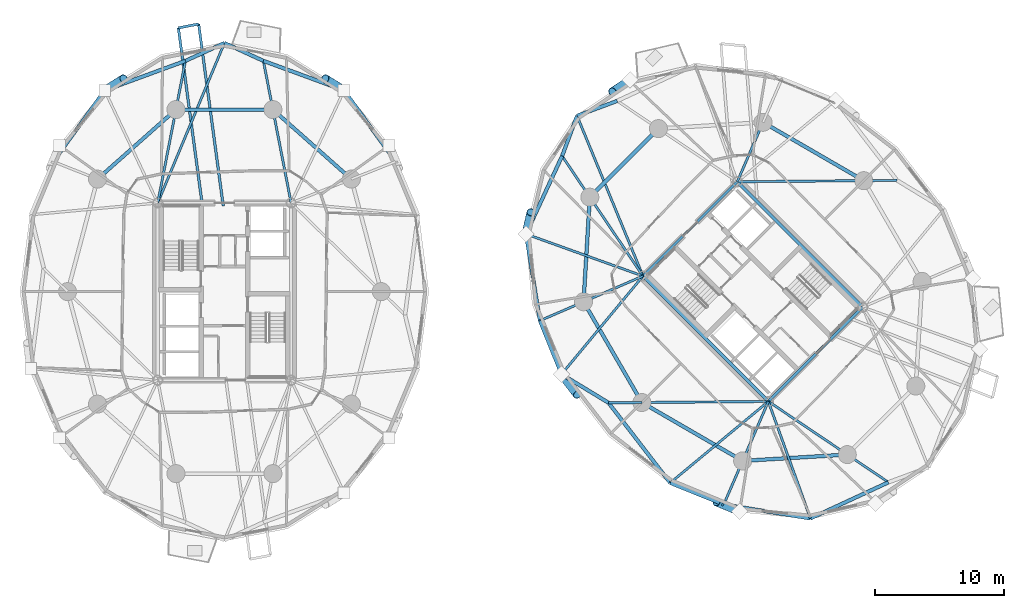
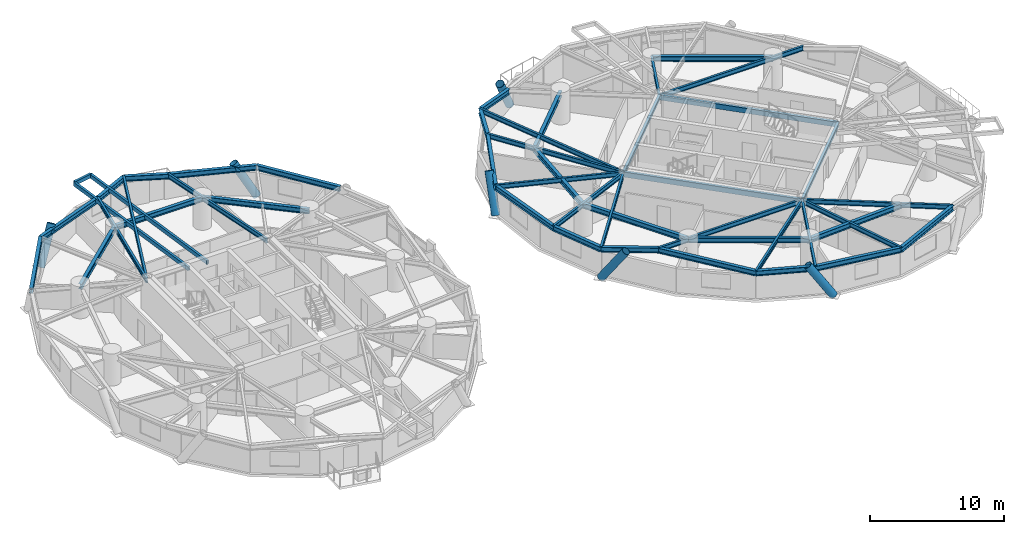
# One storey, part 5 of 19: 48 beams, 6 members.
"""IFC4 building model written with IfcOpenShell, lengths in metres."""

import ifcopenshell
import ifcopenshell.guid

model = None  # the IFC model being written
_history = None  # IfcOwnerHistory: only IFC2X3 demands one
_inside = {}  # id of a spatial element -> (the spatial element, [elements in it])
_under = {}  # id of a project, library or spatial element -> (it, [spatial elements below it])
_declared = {}  # id of a project -> (the project, [libraries it declares])
_typed = {}  # id of a type object -> (the type object, [elements of that type])
_made_of = {}  # id of a material, layer set ... -> (it, [elements and type objects made of it])


def new_model(schema):
    """Start an empty IFC model of exactly this schema.

    Asked for "IFC4X3", IfcOpenShell would pick the latest addendum, in which some entities
    have other attributes; the version numbers below select the first issue.
    IFC2X3 requires an IfcOwnerHistory on every rooted entity: one is made here for all.
    """
    global model, _history
    if schema == "IFC4X3":
        model = ifcopenshell.file(schema_version=(4, 3, 0, 0))
    else:
        model = ifcopenshell.file(schema=schema)
    _inside.clear()
    _under.clear()
    _declared.clear()
    _typed.clear()
    _made_of.clear()
    _history = None
    if model.schema == "IFC2X3":
        org = make("IfcOrganization", Name="unknown")
        user = make(
            "IfcPersonAndOrganization",
            ThePerson=make("IfcPerson", FamilyName="unknown"),
            TheOrganization=org,
        )
        app = make(
            "IfcApplication",
            ApplicationDeveloper=org,
            Version="unknown",
            ApplicationFullName="unknown",
            ApplicationIdentifier="unknown",
        )
        _history = make(
            "IfcOwnerHistory",
            OwningUser=user,
            OwningApplication=app,
            ChangeAction="ADDED",
            CreationDate=0,
        )
    return model


def make(cls, **values):
    """One entity of the class cls with the attributes given. An attribute that is None is left unset."""
    return model.create_entity(
        cls, **{name: value for name, value in values.items() if value is not None}
    )


def rooted(cls, **values):
    """An entity with a GlobalId (a new one), such as an element, a storey or a relation."""
    return make(cls, GlobalId=ifcopenshell.guid.new(), OwnerHistory=_history, **values)


def si_unit(unit_type, name, prefix=None):
    """IfcSIUnit, for example si_unit("LENGTHUNIT", "METRE", prefix="MILLI")."""
    return make("IfcSIUnit", UnitType=unit_type, Prefix=prefix, Name=name)


def assignment(units):
    """IfcUnitAssignment: the units of a project."""
    return None if units is None else make("IfcUnitAssignment", Units=units)


def point(xyz):
    """IfcCartesianPoint."""
    return None if xyz is None else make("IfcCartesianPoint", Coordinates=xyz)


def direction(xyz):
    """IfcDirection."""
    return None if xyz is None else make("IfcDirection", DirectionRatios=xyz)


def frame(location, z_axis=None, x_axis=None):
    """IfcAxis2Placement3D, a coordinate frame: its origin and axes. An axis left out is left unset."""
    return make(
        "IfcAxis2Placement3D",
        Location=point(location),
        Axis=direction(z_axis),
        RefDirection=direction(x_axis),
    )


def frame_2d(location, x_axis=None):
    """IfcAxis2Placement2D, a coordinate frame in the plane: its origin and x axis."""
    return make(
        "IfcAxis2Placement2D", Location=point(location), RefDirection=direction(x_axis)
    )


def origin():
    """The frame at (0, 0, 0) with its axes left unset."""
    return frame((0.0, 0.0, 0.0))


def origin_2d():
    """The frame at (0, 0) in the plane with its x axis left unset."""
    return frame_2d((0.0, 0.0))


def place(relative_to, where):
    """IfcLocalPlacement: puts the frame where relative to a parent placement (None: the world)."""
    return make(
        "IfcLocalPlacement", PlacementRelTo=relative_to, RelativePlacement=where
    )


def context(
    kind, dimensions, precision=None, world=None, true_north=None, identifier=None
):
    """IfcGeometricRepresentationContext, for example the 3D "Model" context."""
    return make(
        "IfcGeometricRepresentationContext",
        ContextIdentifier=identifier,
        ContextType=kind,
        CoordinateSpaceDimension=dimensions,
        Precision=precision,
        WorldCoordinateSystem=world,
        TrueNorth=true_north,
    )


def subcontext(parent, identifier, kind, view, scale=None):
    """IfcGeometricRepresentationSubContext, for example "Body" below "Model"."""
    return make(
        "IfcGeometricRepresentationSubContext",
        ContextIdentifier=identifier,
        ContextType=kind,
        ParentContext=parent,
        TargetScale=scale,
        TargetView=view,
    )


def project(units=None, contexts=None):
    """IfcProject with its units and contexts."""
    return rooted(
        "IfcProject",
        Name="project",
        RepresentationContexts=contexts,
        UnitsInContext=assignment(units),
    )


def spatial(cls, under=None, at=None, **own):
    """A site, building, storey or space (cls), placed at a placement, below another one or the project."""
    s = rooted(cls, ObjectPlacement=at, **own)
    if under is not None:
        _under.setdefault(under.id(), (under, []))[1].append(s)
    return s


def profile(cls, at=None, kind="AREA", **sizes):
    """A parametric profile (cls). Its sizes go by their IFC names, for example OverallWidth=200.0."""
    return make(cls, ProfileType=kind, Position=at, **sizes)


def hollow_rectangle(**sizes):
    """IfcRectangleHollowProfileDef."""
    return profile("IfcRectangleHollowProfileDef", **sizes)


def hollow_circle(**sizes):
    """IfcCircleHollowProfileDef."""
    return profile("IfcCircleHollowProfileDef", **sizes)


def i_section(**sizes):
    """IfcIShapeProfileDef."""
    return profile("IfcIShapeProfileDef", **sizes)


def extrude(swept, where, along, depth):
    """IfcExtrudedAreaSolid: the profile swept, set in the frame where, extruded along a direction by depth."""
    return make(
        "IfcExtrudedAreaSolid",
        SweptArea=swept,
        Position=where,
        ExtrudedDirection=direction(along),
        Depth=depth,
    )


def shape(context_of_items, identifier, shape_type, items):
    """IfcShapeRepresentation: the items that make up one representation, for example the "Body"."""
    return make(
        "IfcShapeRepresentation",
        ContextOfItems=context_of_items,
        RepresentationIdentifier=identifier,
        RepresentationType=shape_type,
        Items=items,
    )


def material(Name=None, Category=None):
    """IfcMaterial."""
    return make("IfcMaterial", Name=Name, Category=Category)


def material_profile(
    of_material, cross_section, Name=None, Category=None, Priority=None
):
    """IfcMaterialProfile: a cross section and its material."""
    return make(
        "IfcMaterialProfile",
        Name=Name,
        Material=of_material,
        Profile=cross_section,
        Priority=Priority,
        Category=Category,
    )


def profile_set(profiles, Name=None, composite=None):
    """IfcMaterialProfileSet."""
    return make(
        "IfcMaterialProfileSet",
        Name=Name,
        MaterialProfiles=profiles,
        CompositeProfile=composite,
    )


def made_of(thing, what):
    """Note that an element or type object is made of a material, layer set ...; save() writes the relation."""
    if what is not None:
        _made_of.setdefault(what.id(), (what, []))[1].append(thing)
    return thing


def type_object(cls, material=None, **own):
    """A type object (cls), such as IfcWallType, which elements share."""
    return made_of(rooted(cls, **own), material)


def element(
    cls,
    number,
    at=None,
    inside=None,
    cuts=None,
    type_object=None,
    material=None,
    context=None,
    identifier="Body",
    shape_type=None,
    held_by="IfcProductDefinitionShape",
    body=None,
    shapes=None,
    **own,
):
    """One element of the class cls, such as IfcWall. Its Tag is "e" and its number.

    at: its placement. inside: the storey or other place that contains it. cuts: it is an
    opening in that element (IfcRelVoidsElement). A single representation is given by context,
    identifier, shape_type and body (its items); several are given by shapes. held_by: the class
    of the entity that holds the representations. save() writes the other relations.
    """
    e = rooted(cls, Tag="e%d" % number, ObjectPlacement=at, **own)
    if body is not None:
        shapes = [shape(context, identifier, shape_type, body)]
    if shapes is not None:
        e.Representation = make(held_by, Representations=shapes)
    if inside is not None:
        _inside.setdefault(inside.id(), (inside, []))[1].append(e)
    if cuts is not None:
        rooted(
            "IfcRelVoidsElement", RelatingBuildingElement=cuts, RelatedOpeningElement=e
        )
    if type_object is not None:
        _typed.setdefault(type_object.id(), (type_object, []))[1].append(e)
    return made_of(e, material)


def aggregate(whole, parts):
    """IfcRelAggregates: a whole, such as a stair, and the parts it consists of."""
    return rooted("IfcRelAggregates", RelatingObject=whole, RelatedObjects=parts)


def save(model, path):
    """Write the relations noted so far, then the file.

    IfcRelAggregates (storeys below a building ...), IfcRelContainedInSpatialStructure (elements
    in a storey), IfcRelDefinesByType, IfcRelAssociatesMaterial and IfcRelDeclares: one each for
    every whole, place, type object, material and project.
    """
    for whole, parts in _under.values():
        aggregate(whole, parts)
    for where, things in _inside.values():
        rooted(
            "IfcRelContainedInSpatialStructure",
            RelatedElements=things,
            RelatingStructure=where,
        )
    for kind, things in _typed.values():
        rooted("IfcRelDefinesByType", RelatedObjects=things, RelatingType=kind)
    for what, things in _made_of.values():
        rooted("IfcRelAssociatesMaterial", RelatedObjects=things, RelatingMaterial=what)
    for by, libraries in _declared.values():
        rooted("IfcRelDeclares", RelatingContext=by, RelatedDefinitions=libraries)
    model.write(path)


model = new_model("IFC4")

# Units and contexts
model_context = context("Model", 3, precision=1e-05, world=origin(), true_north=direction((0.0, 1.0)))
body_context = subcontext(model_context, "Body", "Model", "MODEL_VIEW")
ifc_project = project(units=[si_unit("LENGTHUNIT", "METRE"), si_unit("AREAUNIT", "SQUARE_METRE"), si_unit("VOLUMEUNIT", "CUBIC_METRE"), si_unit("PLANEANGLEUNIT", "RADIAN"), si_unit("MASSUNIT", "GRAM", prefix="KILO")], contexts=[model_context])

# Site, building, storey
site_placement = place(None, origin())
site = spatial("IfcSite", under=ifc_project, at=site_placement, CompositionType="ELEMENT")
building_placement = place(site_placement, origin())
building = spatial("IfcBuilding", under=site, at=building_placement, Name="Cununo Teusaquillo Station Towers", CompositionType="ELEMENT")
storey_placement = place(building_placement, frame((0.0, 0.0, 84.699951171875)))
storey = spatial("IfcBuildingStorey", under=building, at=storey_placement, Name="L26", CompositionType="ELEMENT", Elevation=84.699951171875)

# Beams
ifc_material_1 = material(Name="Steel EN 10025-2 S355J2", Category="steel")
ifc_material_profile_1 = material_profile(ifc_material_1, hollow_rectangle(XDim=0.199951171875, YDim=0.35009765625, WallThickness=0.013916015625, at=origin_2d()), Name="RHS 350x200x14")
ifc_profile_set_1 = profile_set([ifc_material_profile_1], Name="Steel EN 10025-2 S355J2")
beam_type_1 = type_object("IfcBeamType", Name="BM-BAL-CANT", PredefinedType="BEAM", material=ifc_profile_set_1)
beam_1_placement = place(storey_placement, frame((16.40869140625, 31.14990234375, 2.4951171875), z_axis=(-0.133936551357, 0.990989909237, 0.0), x_axis=(-0.990989909237, -0.133936551357, 0.0)))
element("IfcBeam", 1, at=beam_1_placement, inside=storey, type_object=beam_type_1, Name="L26 Tower A Balcony Cantilever Bracket 1A", PredefinedType="BEAM", context=body_context, shape_type="SweptSolid", body=[
    extrude(hollow_rectangle(XDim=0.199951171875, YDim=0.35009765625, WallThickness=0.013916015625, at=origin_2d()), origin(), (0.0, 0.0, 1.0), 14.24169921875),
])
beam_2_placement = place(storey_placement, frame((14.793701171875, 31.14990234375, 2.4951171875), z_axis=(-0.133960678738, 0.990986648019, 0.0), x_axis=(-0.990986648019, -0.133960678738, 0.0)))
element("IfcBeam", 2, at=beam_2_placement, inside=storey, type_object=beam_type_1, Name="L26 Tower A Balcony Cantilever Bracket 1B", PredefinedType="BEAM", context=body_context, shape_type="SweptSolid", body=[
    extrude(hollow_rectangle(XDim=0.199951171875, YDim=0.35009765625, WallThickness=0.013916015625, at=origin_2d()), origin(), (0.0, 0.0, 1.0), 13.9345703125),
])
ifc_material_2 = material(Name="Steel EN 10025-2 S355J2", Category="steel")
ifc_material_profile_2 = material_profile(ifc_material_2, hollow_rectangle(XDim=0.25, YDim=0.449951171875, WallThickness=0.01611328125, at=origin_2d()), Name="RHS 450x250x16")
ifc_profile_set_2 = profile_set([ifc_material_profile_2], Name="Steel EN 10025-2 S355J2")
beam_type_2 = type_object("IfcBeamType", Name="BM-COUP-1", PredefinedType="USERDEFINED", material=ifc_profile_set_2)
for number, where, z_axis, x_axis, name in (
    (3, (58.70556640625, 15.975830078125, 2.445068359375), (-0.707106781187, 0.707106781187, 0.0), (-0.707106781187, -0.707106781187, 0.0), "L26 Tower B Core Beam 1"),
    (4, (66.024169921875, 23.29443359375, 2.445068359375), (-0.707106781187, 0.707106781187, 0.0), (-0.707106781187, -0.707106781187, 0.0), "L26 Tower B Core Beam 2"),
):
    element("IfcBeam", number, at=place(storey_placement, frame(where, z_axis=z_axis, x_axis=x_axis)), inside=storey, type_object=beam_type_2, Name=name, ObjectType="COUPLING BEAM", PredefinedType="USERDEFINED", context=body_context, shape_type="SweptSolid", body=[
        extrude(hollow_rectangle(XDim=0.25, YDim=0.449951171875, WallThickness=0.01611328125, at=origin_2d()), origin(), (0.0, 0.0, 1.0), 13.760009765625),
    ])
ifc_material_3 = material(Name="Steel ASTM A572 Grade 50", Category="steel")
ifc_material_profile_3 = material_profile(ifc_material_3, i_section(OverallWidth=0.180908203125, OverallDepth=0.4169921875, WebThickness=0.010986328125, FlangeThickness=0.018310546875, FilletRadius=0.012939453125, at=origin_2d()), Name="W16X57")
ifc_profile_set_3 = profile_set([ifc_material_profile_3], Name="Steel ASTM A572 Grade 50")
beam_type_3 = type_object("IfcBeamType", Name="BM-JOIST-1", PredefinedType="JOIST", material=ifc_profile_set_3)
beam_3_placement = place(storey_placement, frame((11.324951171875, 31.3798828125, 2.461669921875), z_axis=(0.38487837995, 0.922967297713, 0.0), x_axis=(-0.922967297713, 0.38487837995, 0.0)))
element("IfcBeam", 5, at=beam_3_placement, inside=storey, type_object=beam_type_3, Name="L26 Tower A Radial Spandrel Joist V05", PredefinedType="JOIST", context=body_context, shape_type="SweptSolid", body=[
    extrude(i_section(OverallWidth=0.180908203125, OverallDepth=0.4169921875, WebThickness=0.010986328125, FlangeThickness=0.018310546875, FilletRadius=0.012939453125, at=origin_2d()), origin(), (0.0, 0.0, 1.0), 13.446044921875),
])
beam_4_placement = place(storey_placement, frame((48.975830078125, 25.70556640625, 2.461669921875), z_axis=(-0.380485864505, 0.924786735908, 0.0), x_axis=(-0.924786735908, -0.380485864505, 0.0)))
element("IfcBeam", 6, at=beam_4_placement, inside=storey, type_object=beam_type_3, Name="L26 Tower B Radial Spandrel Joist V05", PredefinedType="JOIST", context=body_context, shape_type="SweptSolid", body=[
    extrude(i_section(OverallWidth=0.180908203125, OverallDepth=0.4169921875, WebThickness=0.010986328125, FlangeThickness=0.018310546875, FilletRadius=0.012939453125, at=origin_2d()), origin(), (0.0, 0.0, 1.0), 13.44580078125),
])
beam_5_placement = place(storey_placement, frame((48.975830078125, 25.70556640625, 2.461669921875), z_axis=(-0.941082771055, 0.338176312038, 0.0), x_axis=(-0.338176312038, -0.941082771055, 0.0)))
element("IfcBeam", 7, at=beam_5_placement, inside=storey, type_object=beam_type_3, Name="L26 Tower B Radial Spandrel Joist V07", PredefinedType="JOIST", context=body_context, shape_type="SweptSolid", body=[
    extrude(i_section(OverallWidth=0.180908203125, OverallDepth=0.4169921875, WebThickness=0.010986328125, FlangeThickness=0.018310546875, FilletRadius=0.012939453125, at=origin_2d()), origin(), (0.0, 0.0, 1.0), 9.646484375),
])
for number, where, z_axis, x_axis, name in (
    (8, (48.975830078125, 25.70556640625, 2.461669921875), (-0.638372238196, -0.769727799615, 0.0), (0.769727799615, -0.638372238196, 0.0), "L26 Tower B Radial Spandrel Joist V09"),
    (9, (58.70556640625, 15.975830078125, 2.461669921875), (-0.769727799615, -0.638372238196, 0.0), (0.638372238196, -0.769727799615, 0.0), "L26 Tower B Radial Spandrel Joist V11"),
):
    element("IfcBeam", number, at=place(storey_placement, frame(where, z_axis=z_axis, x_axis=x_axis)), inside=storey, type_object=beam_type_3, Name=name, PredefinedType="JOIST", context=body_context, shape_type="SweptSolid", body=[
        extrude(i_section(OverallWidth=0.180908203125, OverallDepth=0.4169921875, WebThickness=0.010986328125, FlangeThickness=0.018310546875, FilletRadius=0.012939453125, at=origin_2d()), origin(), (0.0, 0.0, 1.0), 9.895263671875),
    ])
beam_6_placement = place(storey_placement, frame((58.70556640625, 15.975830078125, 2.461669921875), z_axis=(0.338176312038, -0.941082771055, 0.0), x_axis=(0.941082771055, 0.338176312038, 0.0)))
element("IfcBeam", 10, at=beam_6_placement, inside=storey, type_object=beam_type_3, Name="L26 Tower B Radial Spandrel Joist V13", PredefinedType="JOIST", context=body_context, shape_type="SweptSolid", body=[
    extrude(i_section(OverallWidth=0.180908203125, OverallDepth=0.4169921875, WebThickness=0.010986328125, FlangeThickness=0.018310546875, FilletRadius=0.012939453125, at=origin_2d()), origin(), (0.0, 0.0, 1.0), 9.646484375),
])
ifc_material_4 = material(Name="Steel ASTM A572 Grade 50", Category="steel")
ifc_material_profile_4 = material_profile(ifc_material_4, i_section(OverallWidth=0.2041015625, OverallDepth=0.35009765625, WebThickness=0.008544921875, FlangeThickness=0.01513671875, FilletRadius=0.011962890625, at=origin_2d()), Name="W14X48")
ifc_profile_set_4 = profile_set([ifc_material_profile_4], Name="Steel ASTM A572 Grade 50")
beam_type_4 = type_object("IfcBeamType", Name="BM-LINTEL-1", PredefinedType="LINTEL", material=ifc_profile_set_4)
for number, where, z_axis, x_axis, name in (
    (11, (58.70556640625, 15.975830078125, 2.4951171875), (0.707106781187, 0.707106781187, 0.0), (-0.707106781187, 0.707106781187, 0.0), "L26 Tower B Core Beam 3"),
    (12, (48.975830078125, 25.70556640625, 2.4951171875), (0.707106781187, 0.707106781187, 0.0), (-0.707106781187, 0.707106781187, 0.0), "L26 Tower B Core Beam 4"),
):
    element("IfcBeam", number, at=place(storey_placement, frame(where, z_axis=z_axis, x_axis=x_axis)), inside=storey, type_object=beam_type_4, Name=name, PredefinedType="LINTEL", context=body_context, shape_type="SweptSolid", body=[
        extrude(i_section(OverallWidth=0.2041015625, OverallDepth=0.35009765625, WebThickness=0.008544921875, FlangeThickness=0.01513671875, FilletRadius=0.011962890625, at=origin_2d()), origin(), (0.0, 0.0, 1.0), 10.35009765625),
    ])
ifc_material_5 = material(Name="Steel ASTM A572 Grade 50", Category="steel")
ifc_material_profile_5 = material_profile(ifc_material_5, i_section(OverallWidth=0.180908203125, OverallDepth=0.4169921875, WebThickness=0.010986328125, FlangeThickness=0.018310546875, FilletRadius=0.012939453125, at=origin_2d()), Name="W16X57")
ifc_profile_set_5 = profile_set([ifc_material_profile_5], Name="Steel ASTM A572 Grade 50")
beam_type_5 = type_object("IfcBeamType", Name="BM-RAD-G2", PredefinedType="BEAM", material=ifc_profile_set_5)
for number, where, z_axis, x_axis, name in (
    (13, (21.675048828125, 31.3798828125, 2.461669921875), (-0.191552755713, 0.981482318628, 0.0), (-0.981482318628, -0.191552755713, 0.0), "L26 Tower A Continuous Overhanging Radial Girder 03"),
    (14, (11.324951171875, 31.3798828125, 2.461669921875), (0.191552755713, 0.981482318628, 0.0), (-0.981482318628, 0.191552755713, 0.0), "L26 Tower A Continuous Overhanging Radial Girder 04"),
):
    element("IfcBeam", number, at=place(storey_placement, frame(where, z_axis=z_axis, x_axis=x_axis)), inside=storey, type_object=beam_type_5, Name=name, PredefinedType="BEAM", context=body_context, shape_type="SweptSolid", body=[
        extrude(i_section(OverallWidth=0.180908203125, OverallDepth=0.4169921875, WebThickness=0.010986328125, FlangeThickness=0.018310546875, FilletRadius=0.012939453125, at=origin_2d()), origin(), (0.0, 0.0, 1.0), 11.22998046875),
    ])
beam_7_placement = place(storey_placement, frame((56.29443359375, 33.024169921875, 2.461669921875), z_axis=(0.999964331255, 0.008446077024, 0.0), x_axis=(-0.008446077024, 0.999964331255, 0.0)))
element("IfcBeam", 15, at=beam_7_placement, inside=storey, type_object=beam_type_5, Name="L26 Tower B Continuous Overhanging Radial Girder 01", PredefinedType="BEAM", context=body_context, shape_type="SweptSolid", body=[
    extrude(i_section(OverallWidth=0.180908203125, OverallDepth=0.4169921875, WebThickness=0.010986328125, FlangeThickness=0.018310546875, FilletRadius=0.012939453125, at=origin_2d()), origin(), (0.0, 0.0, 1.0), 12.400634765625),
])
beam_8_placement = place(storey_placement, frame((56.29443359375, 33.024169921875, 2.461669921875), z_axis=(0.397346986387, 0.917668443616, 0.0), x_axis=(-0.917668443616, 0.397346986387, 0.0)))
element("IfcBeam", 16, at=beam_8_placement, inside=storey, type_object=beam_type_5, Name="L26 Tower B Radial Girder 02A", PredefinedType="BEAM", context=body_context, shape_type="SweptSolid", body=[
    extrude(i_section(OverallWidth=0.180908203125, OverallDepth=0.4169921875, WebThickness=0.010986328125, FlangeThickness=0.018310546875, FilletRadius=0.012939453125, at=origin_2d()), origin(), (0.0, 0.0, 1.0), 5.02490234375),
])
beam_9_placement = place(storey_placement, frame((48.975830078125, 25.70556640625, 2.461669921875), z_axis=(-0.558572297481, 0.82945583878, 0.0), x_axis=(-0.82945583878, -0.558572297481, 0.0)))
element("IfcBeam", 17, at=beam_9_placement, inside=storey, type_object=beam_type_5, Name="L26 Tower B Continuous Overhanging Radial Girder 04", PredefinedType="BEAM", context=body_context, shape_type="SweptSolid", body=[
    extrude(i_section(OverallWidth=0.180908203125, OverallDepth=0.4169921875, WebThickness=0.010986328125, FlangeThickness=0.018310546875, FilletRadius=0.012939453125, at=origin_2d()), origin(), (0.0, 0.0, 1.0), 11.22998046875),
])
beam_10_placement = place(storey_placement, frame((48.975830078125, 25.70556640625, 2.461669921875), z_axis=(-0.917654733344, -0.397378648609, 0.0), x_axis=(0.397378648609, -0.917654733344, 0.0)))
element("IfcBeam", 18, at=beam_10_placement, inside=storey, type_object=beam_type_5, Name="L26 Tower B Continuous Overhanging Radial Girder 05", PredefinedType="BEAM", context=body_context, shape_type="SweptSolid", body=[
    extrude(i_section(OverallWidth=0.180908203125, OverallDepth=0.4169921875, WebThickness=0.010986328125, FlangeThickness=0.018310546875, FilletRadius=0.012939453125, at=origin_2d()), origin(), (0.0, 0.0, 1.0), 8.71484375),
])
beam_11_placement = place(storey_placement, frame((58.70556640625, 15.975830078125, 2.461669921875), z_axis=(-0.999964431382, -0.008434214327, 0.0), x_axis=(0.008434214327, -0.999964431382, 0.0)))
element("IfcBeam", 19, at=beam_11_placement, inside=storey, type_object=beam_type_5, Name="L26 Tower B Radial Girder 06A", PredefinedType="BEAM", context=body_context, shape_type="SweptSolid", body=[
    extrude(i_section(OverallWidth=0.180908203125, OverallDepth=0.4169921875, WebThickness=0.010986328125, FlangeThickness=0.018310546875, FilletRadius=0.012939453125, at=origin_2d()), origin(), (0.0, 0.0, 1.0), 9.812744140625),
])
beam_12_placement = place(storey_placement, frame((48.89306640625, 15.89306640625, 2.461669921875), z_axis=(-0.999963950292, -0.008491060999, 0.0), x_axis=(0.008491060999, -0.999963950292, 0.0)))
element("IfcBeam", 20, at=beam_12_placement, inside=storey, type_object=beam_type_5, Name="L26 Tower B Perimeter Overhang Girder 06B", PredefinedType="BEAM", context=body_context, shape_type="SweptSolid", body=[
    extrude(i_section(OverallWidth=0.180908203125, OverallDepth=0.4169921875, WebThickness=0.010986328125, FlangeThickness=0.018310546875, FilletRadius=0.012939453125, at=origin_2d()), origin(), (0.0, 0.0, 1.0), 2.587646484375),
])
beam_13_placement = place(storey_placement, frame((58.70556640625, 15.975830078125, 2.461669921875), z_axis=(-0.397378648609, -0.917654733344, 0.0), x_axis=(0.917654733344, -0.397378648609, 0.0)))
element("IfcBeam", 21, at=beam_13_placement, inside=storey, type_object=beam_type_5, Name="L26 Tower B Continuous Overhanging Radial Girder 07", PredefinedType="BEAM", context=body_context, shape_type="SweptSolid", body=[
    extrude(i_section(OverallWidth=0.180908203125, OverallDepth=0.4169921875, WebThickness=0.010986328125, FlangeThickness=0.018310546875, FilletRadius=0.012939453125, at=origin_2d()), origin(), (0.0, 0.0, 1.0), 8.71484375),
])
beam_14_placement = place(storey_placement, frame((58.70556640625, 15.975830078125, 2.461669921875), z_axis=(0.82945583878, -0.558572297481, 0.0), x_axis=(0.558572297481, 0.82945583878, 0.0)))
element("IfcBeam", 22, at=beam_14_placement, inside=storey, type_object=beam_type_5, Name="L26 Tower B Continuous Overhanging Radial Girder 08", PredefinedType="BEAM", context=body_context, shape_type="SweptSolid", body=[
    extrude(i_section(OverallWidth=0.180908203125, OverallDepth=0.4169921875, WebThickness=0.010986328125, FlangeThickness=0.018310546875, FilletRadius=0.012939453125, at=origin_2d()), origin(), (0.0, 0.0, 1.0), 11.22998046875),
])
ifc_material_6 = material(Name="Steel ASTM A572 Grade 50", Category="steel")
ifc_material_profile_6 = material_profile(ifc_material_6, i_section(OverallWidth=0.280029296875, OverallDepth=0.462890625, WebThickness=0.0107421875, FlangeThickness=0.017333984375, FilletRadius=0.013916015625, at=origin_2d()), Name="W18X76")
ifc_profile_set_6 = profile_set([ifc_material_profile_6], Name="Steel ASTM A572 Grade 50")
beam_type_6 = type_object("IfcBeamType", Name="BM-RING-Z2", PredefinedType="SPANDREL", material=ifc_profile_set_6)
beam_15_placement = place(storey_placement, frame((26.347412109375, 33.228515625, 2.4384765625), z_axis=(-0.74832120039, 0.66333655187, 0.0), x_axis=(-0.66333655187, -0.74832120039, 0.0)))
element("IfcBeam", 23, at=beam_15_placement, inside=storey, type_object=beam_type_6, Name="L26 Tower A Structural Column Ring Girder 02", PredefinedType="SPANDREL", context=body_context, shape_type="SweptSolid", body=[
    extrude(i_section(OverallWidth=0.280029296875, OverallDepth=0.462890625, WebThickness=0.0107421875, FlangeThickness=0.017333984375, FilletRadius=0.013916015625, at=origin_2d()), origin(), (0.0, 0.0, 1.0), 8.1328125),
])
beam_16_placement = place(storey_placement, frame((20.261474609375, 38.623291015625, 2.4384765625), z_axis=(-1.0, 0.0, 0.0), x_axis=(0.0, -1.0, 0.0)))
element("IfcBeam", 24, at=beam_16_placement, inside=storey, type_object=beam_type_6, Name="L26 Tower A Structural Column Ring Girder 03", PredefinedType="SPANDREL", context=body_context, shape_type="SweptSolid", body=[
    extrude(i_section(OverallWidth=0.280029296875, OverallDepth=0.462890625, WebThickness=0.0107421875, FlangeThickness=0.017333984375, FilletRadius=0.013916015625, at=origin_2d()), origin(), (0.0, 0.0, 1.0), 7.52294921875),
])
beam_17_placement = place(storey_placement, frame((12.738525390625, 38.623291015625, 2.4384765625), z_axis=(-0.74832120039, -0.66333655187, 0.0), x_axis=(0.66333655187, -0.74832120039, 0.0)))
element("IfcBeam", 25, at=beam_17_placement, inside=storey, type_object=beam_type_6, Name="L26 Tower A Structural Column Ring Girder 04", PredefinedType="SPANDREL", context=body_context, shape_type="SweptSolid", body=[
    extrude(i_section(OverallWidth=0.280029296875, OverallDepth=0.462890625, WebThickness=0.0107421875, FlangeThickness=0.017333984375, FilletRadius=0.013916015625, at=origin_2d()), origin(), (0.0, 0.0, 1.0), 8.1328125),
])
beam_18_placement = place(storey_placement, frame((29.77880859375, 34.586181640625, 2.4384765625), z_axis=(-0.58594455724, 0.810351143543, 0.0), x_axis=(-0.810351143543, -0.58594455724, 0.0)))
element("IfcBeam", 26, at=beam_18_placement, inside=storey, type_object=beam_type_6, Name="L26 Tower A Spandrel Ring Beam 03", PredefinedType="SPANDREL", context=body_context, shape_type="SweptSolid", body=[
    extrude(i_section(OverallWidth=0.280029296875, OverallDepth=0.462890625, WebThickness=0.0107421875, FlangeThickness=0.017333984375, FilletRadius=0.013916015625, at=origin_2d()), origin(), (0.0, 0.0, 1.0), 6.8115234375),
])
beam_19_placement = place(storey_placement, frame((25.78759765625, 40.10595703125, 2.4384765625), z_axis=(-0.938914161016, 0.34415141761, 0.0), x_axis=(-0.34415141761, -0.938914161016, 0.0)))
element("IfcBeam", 27, at=beam_19_placement, inside=storey, type_object=beam_type_6, Name="L26 Tower A Spandrel Ring Beam 04", PredefinedType="SPANDREL", context=body_context, shape_type="SweptSolid", body=[
    extrude(i_section(OverallWidth=0.280029296875, OverallDepth=0.462890625, WebThickness=0.0107421875, FlangeThickness=0.017333984375, FilletRadius=0.013916015625, at=origin_2d()), origin(), (0.0, 0.0, 1.0), 6.671142578125),
])
for number, where, z_axis, x_axis, name in (
    (28, (19.52392578125, 42.40185546875, 2.4384765625), (-0.908812215281, 0.417205413862, 0.0), (-0.417205413862, -0.908812215281, 0.0), "L26 Tower A Spandrel Ring Beam 05"),
    (29, (16.5, 43.7900390625, 2.4384765625), (-0.908812215281, -0.417205413862, 0.0), (0.417205413862, -0.908812215281, 0.0), "L26 Tower A Spandrel Ring Beam 06"),
):
    element("IfcBeam", number, at=place(storey_placement, frame(where, z_axis=z_axis, x_axis=x_axis)), inside=storey, type_object=beam_type_6, Name=name, PredefinedType="SPANDREL", context=body_context, shape_type="SweptSolid", body=[
        extrude(i_section(OverallWidth=0.280029296875, OverallDepth=0.462890625, WebThickness=0.0107421875, FlangeThickness=0.017333984375, FilletRadius=0.013916015625, at=origin_2d()), origin(), (0.0, 0.0, 1.0), 3.327392578125),
    ])
beam_20_placement = place(storey_placement, frame((13.47607421875, 42.40185546875, 2.4384765625), z_axis=(-0.938914161016, -0.34415141761, 0.0), x_axis=(0.34415141761, -0.938914161016, 0.0)))
element("IfcBeam", 30, at=beam_20_placement, inside=storey, type_object=beam_type_6, Name="L26 Tower A Spandrel Ring Beam 07", PredefinedType="SPANDREL", context=body_context, shape_type="SweptSolid", body=[
    extrude(i_section(OverallWidth=0.280029296875, OverallDepth=0.462890625, WebThickness=0.0107421875, FlangeThickness=0.017333984375, FilletRadius=0.013916015625, at=origin_2d()), origin(), (0.0, 0.0, 1.0), 6.671142578125),
])
beam_21_placement = place(storey_placement, frame((7.21240234375, 40.10595703125, 2.4384765625), z_axis=(-0.58594455724, -0.810351143543, 0.0), x_axis=(0.810351143543, -0.58594455724, 0.0)))
element("IfcBeam", 31, at=beam_21_placement, inside=storey, type_object=beam_type_6, Name="L26 Tower A Spandrel Ring Beam 08", PredefinedType="SPANDREL", context=body_context, shape_type="SweptSolid", body=[
    extrude(i_section(OverallWidth=0.280029296875, OverallDepth=0.462890625, WebThickness=0.0107421875, FlangeThickness=0.017333984375, FilletRadius=0.013916015625, at=origin_2d()), origin(), (0.0, 0.0, 1.0), 6.8115234375),
])
beam_22_placement = place(storey_placement, frame((66.10693359375, 33.10693359375, 2.4384765625), z_axis=(-0.865267103202, 0.501311121078, 0.0), x_axis=(-0.501311121078, -0.865267103202, 0.0)))
element("IfcBeam", 32, at=beam_22_placement, inside=storey, type_object=beam_type_6, Name="L26 Tower B Structural Column Ring Girder 01", PredefinedType="SPANDREL", context=body_context, shape_type="SweptSolid", body=[
    extrude(i_section(OverallWidth=0.280029296875, OverallDepth=0.462890625, WebThickness=0.0107421875, FlangeThickness=0.017333984375, FilletRadius=0.013916015625, at=origin_2d()), origin(), (0.0, 0.0, 1.0), 9.032958984375),
])
beam_23_placement = place(storey_placement, frame((50.173095703125, 37.146240234375, 2.4384765625), z_axis=(-0.707106781187, -0.707106781187, 0.0), x_axis=(0.707106781187, -0.707106781187, 0.0)))
element("IfcBeam", 33, at=beam_23_placement, inside=storey, type_object=beam_type_6, Name="L26 Tower B Structural Column Ring Girder 03", PredefinedType="SPANDREL", context=body_context, shape_type="SweptSolid", body=[
    extrude(i_section(OverallWidth=0.280029296875, OverallDepth=0.462890625, WebThickness=0.0107421875, FlangeThickness=0.017333984375, FilletRadius=0.013916015625, at=origin_2d()), origin(), (0.0, 0.0, 1.0), 7.522705078125),
])
beam_24_placement = place(storey_placement, frame((44.853759765625, 31.826904296875, 2.4384765625), z_axis=(-0.06012979176, -0.998190567048, 0.0), x_axis=(0.998190567048, -0.06012979176, 0.0)))
element("IfcBeam", 34, at=beam_24_placement, inside=storey, type_object=beam_type_6, Name="L26 Tower B Structural Column Ring Girder 04", PredefinedType="SPANDREL", context=body_context, shape_type="SweptSolid", body=[
    extrude(i_section(OverallWidth=0.280029296875, OverallDepth=0.462890625, WebThickness=0.0107421875, FlangeThickness=0.017333984375, FilletRadius=0.013916015625, at=origin_2d()), origin(), (0.0, 0.0, 1.0), 8.132568359375),
])
for number, where, z_axis, x_axis, name in (
    (35, (44.36474609375, 23.708984375, 2.4384765625), (0.501311121078, -0.865267103202, 0.0), (0.865267103202, 0.501311121078, 0.0), "L26 Tower B Structural Column Ring Girder 05"),
    (36, (48.89306640625, 15.89306640625, 2.4384765625), (0.865267103202, -0.501311121078, 0.0), (0.501311121078, 0.865267103202, 0.0), "L26 Tower B Structural Column Ring Girder 06"),
):
    element("IfcBeam", number, at=place(storey_placement, frame(where, z_axis=z_axis, x_axis=x_axis)), inside=storey, type_object=beam_type_6, Name=name, PredefinedType="SPANDREL", context=body_context, shape_type="SweptSolid", body=[
        extrude(i_section(OverallWidth=0.280029296875, OverallDepth=0.462890625, WebThickness=0.0107421875, FlangeThickness=0.017333984375, FilletRadius=0.013916015625, at=origin_2d()), origin(), (0.0, 0.0, 1.0), 9.032958984375),
    ])
beam_25_placement = place(storey_placement, frame((56.708984375, 11.36474609375, 2.4384765625), z_axis=(0.998190567048, 0.06012979176, 0.0), x_axis=(-0.06012979176, 0.998190567048, 0.0)))
element("IfcBeam", 37, at=beam_25_placement, inside=storey, type_object=beam_type_6, Name="L26 Tower B Structural Column Ring Girder 07", PredefinedType="SPANDREL", context=body_context, shape_type="SweptSolid", body=[
    extrude(i_section(OverallWidth=0.280029296875, OverallDepth=0.462890625, WebThickness=0.0107421875, FlangeThickness=0.017333984375, FilletRadius=0.013916015625, at=origin_2d()), origin(), (0.0, 0.0, 1.0), 8.132568359375),
])
for number, where, z_axis, x_axis, name in (
    (38, (46.979736328125, 39.296875, 2.4384765625), (-0.937628334414, -0.347639333943, 0.0), (0.347639333943, -0.937628334414, 0.0), "L26 Tower B Spandrel Ring Beam 05"),
    (39, (43.85986328125, 38.14013671875, 2.4384765625), (-0.347639333943, -0.937628334414, 0.0), (0.937628334414, -0.347639333943, 0.0), "L26 Tower B Spandrel Ring Beam 06"),
):
    element("IfcBeam", number, at=place(storey_placement, frame(where, z_axis=z_axis, x_axis=x_axis)), inside=storey, type_object=beam_type_6, Name=name, PredefinedType="SPANDREL", context=body_context, shape_type="SweptSolid", body=[
        extrude(i_section(OverallWidth=0.280029296875, OverallDepth=0.462890625, WebThickness=0.0107421875, FlangeThickness=0.017333984375, FilletRadius=0.013916015625, at=origin_2d()), origin(), (0.0, 0.0, 1.0), 3.327392578125),
    ])
beam_26_placement = place(storey_placement, frame((42.703125, 35.020263671875, 2.4384765625), z_axis=(-0.420535961689, -0.907275870354, 0.0), x_axis=(0.907275870354, -0.420535961689, 0.0)))
element("IfcBeam", 40, at=beam_26_placement, inside=storey, type_object=beam_type_6, Name="L26 Tower B Spandrel Ring Beam 07", PredefinedType="SPANDREL", context=body_context, shape_type="SweptSolid", body=[
    extrude(i_section(OverallWidth=0.280029296875, OverallDepth=0.462890625, WebThickness=0.0107421875, FlangeThickness=0.017333984375, FilletRadius=0.013916015625, at=origin_2d()), origin(), (0.0, 0.0, 1.0), 6.671142578125),
])
beam_27_placement = place(storey_placement, frame((39.897705078125, 28.9677734375, 2.4384765625), z_axis=(0.158671232312, -0.987331474246, 0.0), x_axis=(0.987331474246, 0.158671232312, 0.0)))
element("IfcBeam", 41, at=beam_27_placement, inside=storey, type_object=beam_type_6, Name="L26 Tower B Spandrel Ring Beam 08", PredefinedType="SPANDREL", context=body_context, shape_type="SweptSolid", body=[
    extrude(i_section(OverallWidth=0.280029296875, OverallDepth=0.462890625, WebThickness=0.0107421875, FlangeThickness=0.017333984375, FilletRadius=0.013916015625, at=origin_2d()), origin(), (0.0, 0.0, 1.0), 6.8115234375),
])
beam_28_placement = place(storey_placement, frame((40.978515625, 22.242431640625, 2.4384765625), z_axis=(0.375042266631, -0.927007712072, 0.0), x_axis=(0.927007712072, 0.375042266631, 0.0)))
element("IfcBeam", 42, at=beam_28_placement, inside=storey, type_object=beam_type_6, Name="L26 Tower B Spandrel Ring Beam 09", PredefinedType="SPANDREL", context=body_context, shape_type="SweptSolid", body=[
    extrude(i_section(OverallWidth=0.280029296875, OverallDepth=0.462890625, WebThickness=0.0107421875, FlangeThickness=0.017333984375, FilletRadius=0.013916015625, at=origin_2d()), origin(), (0.0, 0.0, 1.0), 4.480712890625),
])
beam_29_placement = place(storey_placement, frame((42.658935546875, 18.0888671875, 2.4384765625), z_axis=(0.854388492444, -0.519634779416, 0.0), x_axis=(0.519634779416, 0.854388492444, 0.0)))
element("IfcBeam", 43, at=beam_29_placement, inside=storey, type_object=beam_type_6, Name="L26 Tower B Spandrel Ring Beam 10", PredefinedType="SPANDREL", context=body_context, shape_type="SweptSolid", body=[
    extrude(i_section(OverallWidth=0.280029296875, OverallDepth=0.462890625, WebThickness=0.0107421875, FlangeThickness=0.017333984375, FilletRadius=0.013916015625, at=origin_2d()), origin(), (0.0, 0.0, 1.0), 4.26806640625),
])
beam_30_placement = place(storey_placement, frame((46.305419921875, 15.87109375, 2.4384765625), z_axis=(0.610100441726, -0.792324082056, 0.0), x_axis=(0.792324082056, 0.610100441726, 0.0)))
element("IfcBeam", 44, at=beam_30_placement, inside=storey, type_object=beam_type_6, Name="L26 Tower B Spandrel Ring Beam 11", PredefinedType="SPANDREL", context=body_context, shape_type="SweptSolid", body=[
    extrude(i_section(OverallWidth=0.280029296875, OverallDepth=0.462890625, WebThickness=0.0107421875, FlangeThickness=0.017333984375, FilletRadius=0.013916015625, at=origin_2d()), origin(), (0.0, 0.0, 1.0), 7.84033203125),
])
beam_31_placement = place(storey_placement, frame((51.0888671875, 9.658935546875, 2.4384765625), z_axis=(0.927007712072, -0.375042266631, 0.0), x_axis=(0.375042266631, 0.927007712072, 0.0)))
element("IfcBeam", 45, at=beam_31_placement, inside=storey, type_object=beam_type_6, Name="L26 Tower B Spandrel Ring Beam 12", PredefinedType="SPANDREL", context=body_context, shape_type="SweptSolid", body=[
    extrude(i_section(OverallWidth=0.280029296875, OverallDepth=0.462890625, WebThickness=0.0107421875, FlangeThickness=0.017333984375, FilletRadius=0.013916015625, at=origin_2d()), origin(), (0.0, 0.0, 1.0), 4.480712890625),
])
beam_32_placement = place(storey_placement, frame((55.242431640625, 7.978515625, 2.4384765625), z_axis=(0.987331474246, -0.158671232312, 0.0), x_axis=(0.158671232312, 0.987331474246, 0.0)))
element("IfcBeam", 46, at=beam_32_placement, inside=storey, type_object=beam_type_6, Name="L26 Tower B Spandrel Ring Beam 13", PredefinedType="SPANDREL", context=body_context, shape_type="SweptSolid", body=[
    extrude(i_section(OverallWidth=0.280029296875, OverallDepth=0.462890625, WebThickness=0.0107421875, FlangeThickness=0.017333984375, FilletRadius=0.013916015625, at=origin_2d()), origin(), (0.0, 0.0, 1.0), 6.8115234375),
])
beam_33_placement = place(storey_placement, frame((61.9677734375, 6.897705078125, 2.4384765625), z_axis=(0.907275870354, 0.420535961689, 0.0), x_axis=(-0.420535961689, 0.907275870354, 0.0)))
element("IfcBeam", 47, at=beam_33_placement, inside=storey, type_object=beam_type_6, Name="L26 Tower B Spandrel Ring Beam 14", PredefinedType="SPANDREL", context=body_context, shape_type="SweptSolid", body=[
    extrude(i_section(OverallWidth=0.280029296875, OverallDepth=0.462890625, WebThickness=0.0107421875, FlangeThickness=0.017333984375, FilletRadius=0.013916015625, at=origin_2d()), origin(), (0.0, 0.0, 1.0), 6.671142578125),
])
ifc_material_7 = material(Name="Steel EN 10025-2 S355J2", Category="steel")
ifc_material_profile_7 = material_profile(ifc_material_7, hollow_rectangle(XDim=0.199951171875, YDim=0.35009765625, WallThickness=0.013916015625, at=origin_2d()), Name="RHS 350x200x14")
ifc_profile_set_7 = profile_set([ifc_material_profile_7], Name="Steel EN 10025-2 S355J2")
beam_type_7 = type_object("IfcBeamType", Name="BM-STAIR-TRIM", PredefinedType="BEAM", material=ifc_profile_set_7)
beam_34_placement = place(storey_placement, frame((14.501220703125, 45.26318359375, 2.525146484375), z_axis=(-0.981836621572, -0.189728354603, 0.0), x_axis=(0.189728354603, -0.981836621572, 0.0)))
element("IfcBeam", 48, at=beam_34_placement, inside=storey, type_object=beam_type_7, Name="L26 Tower A Balcony Edge Trimmer Beam 1", PredefinedType="BEAM", context=body_context, shape_type="SweptSolid", body=[
    extrude(hollow_rectangle(XDim=0.199951171875, YDim=0.35009765625, WallThickness=0.013916015625, at=origin_2d()), origin(), (0.0, 0.0, 1.0), 1.603271484375),
])

# Members
ifc_material_8 = material(Name="Steel EN 10025-2 S355J2", Category="steel")
ifc_material_profile_8 = material_profile(ifc_material_8, hollow_circle(Radius=0.330078125, WallThickness=0.02490234375, at=origin_2d()), Name="CHS 660x25")
ifc_profile_set_8 = profile_set([ifc_material_profile_8], Name="Steel EN 10025-2 S355J2")
member_type = type_object("IfcMemberType", Name="MBR-DIAG-Z2", PredefinedType="BRACE", material=ifc_profile_set_8)
for number, where, z_axis, x_axis, name in (
    (49, (25.78759765625, 40.10595703125, -0.139892578125), (-0.433768032271, 0.269824776975, 0.859674289432), (-0.528195574716, -0.849122744278, 0.0), "L26 Tower A Folded-Zigzag Diagrid Tube C03"),
    (50, (7.21240234375, 40.10595703125, -0.139892578125), (0.433768032271, 0.269824776975, 0.859674289432), (-0.528195574716, 0.849122744278, 0.0), "L26 Tower A Folded-Zigzag Diagrid Tube C06"),
):
    element("IfcMember", number, at=place(storey_placement, frame(where, z_axis=z_axis, x_axis=x_axis)), inside=storey, type_object=member_type, Name=name, PredefinedType="BRACE", context=body_context, shape_type="SweptSolid", body=[
        extrude(hollow_circle(Radius=0.330078125, WallThickness=0.02490234375, at=origin_2d()), origin(), (0.0, 0.0, 1.0), 3.385009765625),
    ])
member_1_placement = place(storey_placement, frame((47.980224609375, 40.92529296875, -0.139892578125), z_axis=(-0.410124934173, -0.277231625428, 0.868872927552), x_axis=(0.560024081213, -0.828476329452, 0.0)))
element("IfcMember", 51, at=member_1_placement, inside=storey, type_object=member_type, Name="L26 Tower B Folded-Zigzag Diagrid Tube C04", PredefinedType="BRACE", context=body_context, shape_type="SweptSolid", body=[
    extrude(hollow_circle(Radius=0.330078125, WallThickness=0.02490234375, at=origin_2d()), origin(), (0.0, 0.0, 1.0), 3.34912109375),
])
member_2_placement = place(storey_placement, frame((39.897705078125, 28.9677734375, -0.139892578125), z_axis=(0.115910772147, 0.497471434658, 0.859701613701), x_axis=(-0.973913029911, 0.226921594761, 0.0)))
element("IfcMember", 52, at=member_2_placement, inside=storey, type_object=member_type, Name="L26 Tower B Folded-Zigzag Diagrid Tube C06", PredefinedType="BRACE", context=body_context, shape_type="SweptSolid", body=[
    extrude(hollow_circle(Radius=0.330078125, WallThickness=0.02490234375, at=origin_2d()), origin(), (0.0, 0.0, 1.0), 3.384765625),
])
member_3_placement = place(storey_placement, frame((42.658935546875, 18.0888671875, -0.139892578125), z_axis=(0.346074936166, -0.449247835466, 0.823655583898), x_axis=(0.792197972779, 0.610264182076, 0.0)))
element("IfcMember", 53, at=member_3_placement, inside=storey, type_object=member_type, Name="L26 Tower B Folded-Zigzag Diagrid Tube C09", PredefinedType="BRACE", context=body_context, shape_type="SweptSolid", body=[
    extrude(hollow_circle(Radius=0.330078125, WallThickness=0.02490234375, at=origin_2d()), origin(), (0.0, 0.0, 1.0), 3.532958984375),
])
member_4_placement = place(storey_placement, frame((56.478271484375, 7.443359375, -0.139892578125), z_axis=(-0.51346268498, 0.211093316399, 0.83174255807), x_axis=(-0.380237656053, -0.924888817599, 0.0)))
element("IfcMember", 54, at=member_4_placement, inside=storey, type_object=member_type, Name="L26 Tower B Folded-Zigzag Diagrid Tube C11", PredefinedType="BRACE", context=body_context, shape_type="SweptSolid", body=[
    extrude(hollow_circle(Radius=0.330078125, WallThickness=0.02490234375, at=origin_2d()), origin(), (0.0, 0.0, 1.0), 3.49853515625),
])

save(model, "model.ifc")
